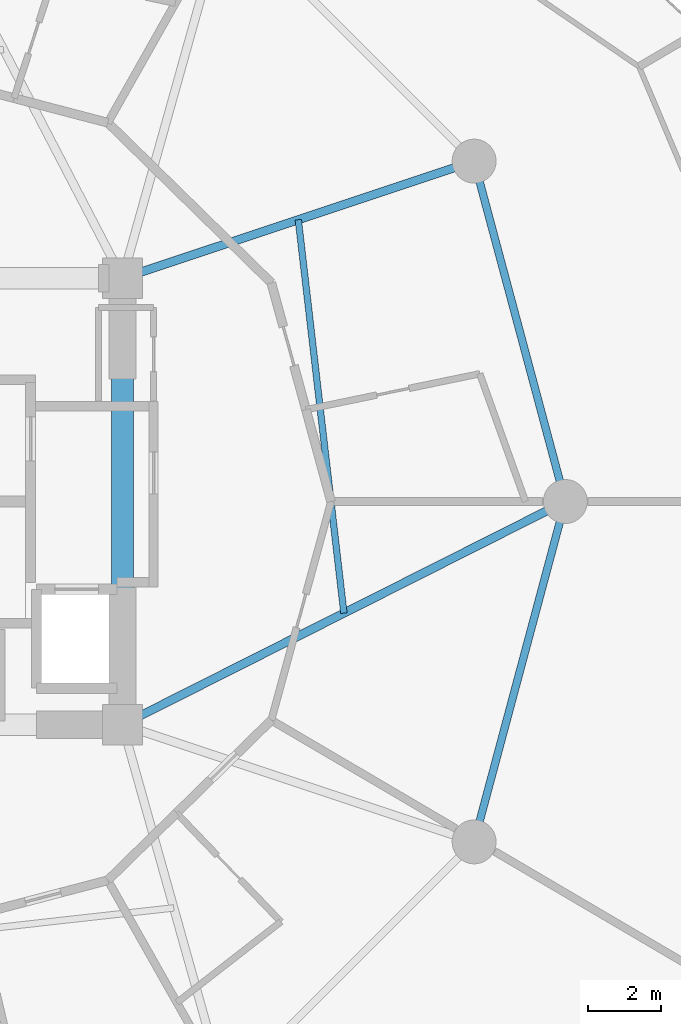
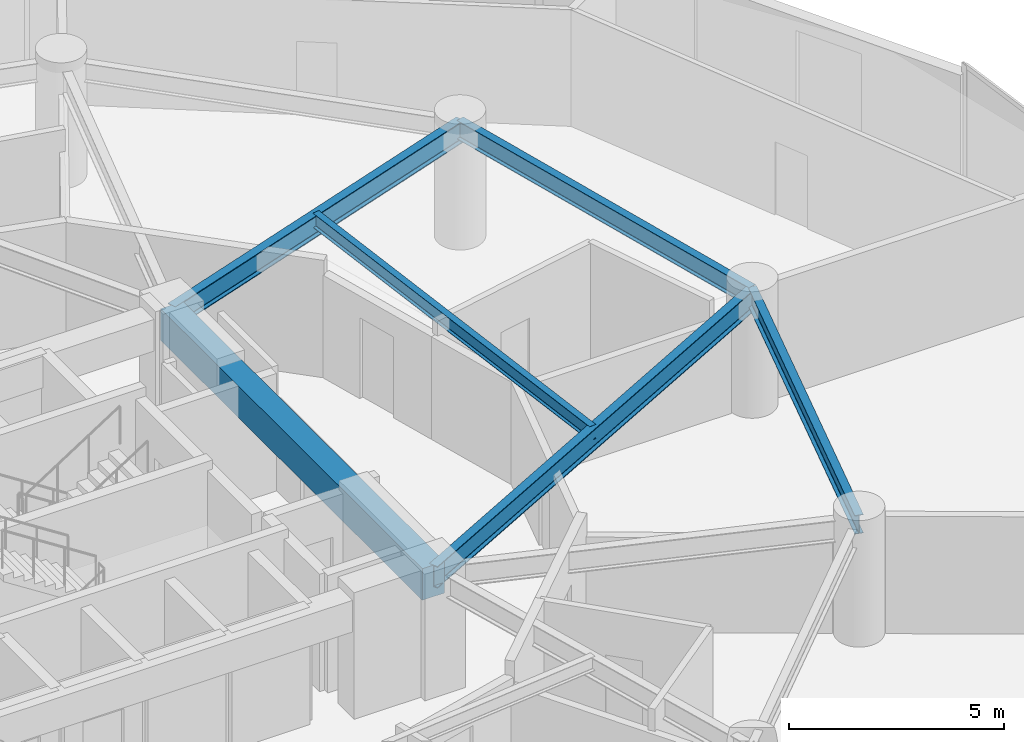
# One storey, part 11 of 26: 6 beams.
"""IFC4 building model written with IfcOpenShell, lengths in metres."""

from ifc_helpers import new_model, si_unit, direction, frame, origin, origin_2d, place, context, subcontext, project, spatial, rectangle, i_section, extrude, material, material_profile, profile_set, type_object, element, save


model = new_model("IFC4")

# Units and contexts
model_context = context("Model", 3, precision=1e-05, world=origin(), true_north=direction((0.0, 1.0)))
body_context = subcontext(model_context, "Body", "Model", "MODEL_VIEW")
ifc_project = project(units=[si_unit("LENGTHUNIT", "METRE"), si_unit("AREAUNIT", "SQUARE_METRE"), si_unit("VOLUMEUNIT", "CUBIC_METRE"), si_unit("PLANEANGLEUNIT", "RADIAN"), si_unit("MASSUNIT", "GRAM", prefix="KILO")], contexts=[model_context])

# Site, building, storey
site_placement = place(None, origin())
site = spatial("IfcSite", under=ifc_project, at=site_placement, CompositionType="ELEMENT")
building_placement = place(site_placement, origin())
building = spatial("IfcBuilding", under=site, at=building_placement, Name="Solvirekh Grand Hotel", CompositionType="ELEMENT")
storey_placement = place(building_placement, frame((0.0, 0.0, 32.0)))
storey = spatial("IfcBuildingStorey", under=building, at=storey_placement, Name="L06", CompositionType="ELEMENT", Elevation=32.0)

# Beams
ifc_material_1 = material(Name="Concrete C50/60", Category="concrete")
ifc_material_profile_1 = material_profile(ifc_material_1, rectangle(XDim=0.60009765625, YDim=0.89990234375, at=origin_2d()), Name="RC BEAM 600X900")
ifc_profile_set_1 = profile_set([ifc_material_profile_1], Name="Concrete C50/60")
beam_type_1 = type_object("IfcBeamType", Name="Beam_Core_RC900", PredefinedType="BEAM", material=ifc_profile_set_1)
beam_1_placement = place(storey_placement, frame((6.5, -6.10009765625, 2.889892578125), z_axis=(0.0, 1.0, 0.0), x_axis=(-1.0, 0.0, 0.0)))
element("IfcBeam", 1, at=beam_1_placement, inside=storey, type_object=beam_type_1, Name="L06 core coupling ring beam 2", PredefinedType="BEAM", context=body_context, shape_type="SweptSolid", body=[
    extrude(rectangle(XDim=0.60009765625, YDim=0.89990234375, at=origin_2d()), origin(), (0.0, 0.0, 1.0), 12.2001953125),
])
ifc_material_2 = material(Name="Steel S355", Category="steel")
ifc_material_profile_2 = material_profile(ifc_material_2, i_section(OverallWidth=0.22998046875, OverallDepth=0.615966796875, WebThickness=0.013916015625, FlangeThickness=0.02392578125, FilletRadius=0.014892578125, at=origin_2d()), Name="W610X174")
ifc_profile_set_2 = profile_set([ifc_material_profile_2], Name="Steel S355")
beam_type_2 = type_object("IfcBeamType", Name="Beam_Primary_W610H", PredefinedType="BEAM", material=ifc_profile_set_2)
beam_2_placement = place(storey_placement, frame((6.5, -6.10009765625, 3.031982421875), z_axis=(0.892944939011, 0.450165898191, 0.0), x_axis=(-0.450165898191, 0.892944939011, 0.0)))
element("IfcBeam", 2, at=beam_2_placement, inside=storey, type_object=beam_type_2, Name="L06 radial floor beam R01", PredefinedType="BEAM", context=body_context, shape_type="SweptSolid", body=[
    extrude(i_section(OverallWidth=0.22998046875, OverallDepth=0.615966796875, WebThickness=0.013916015625, FlangeThickness=0.02392578125, FilletRadius=0.014892578125, at=origin_2d()), origin(), (0.0, 0.0, 1.0), 13.55078125),
])
beam_3_placement = place(storey_placement, frame((6.5, 6.10009765625, 3.031982421875), z_axis=(0.948762825819, 0.315989082635, 0.0), x_axis=(-0.315989082635, 0.948762825819, 0.0)))
element("IfcBeam", 3, at=beam_3_placement, inside=storey, type_object=beam_type_2, Name="L06 radial floor beam R02", PredefinedType="BEAM", context=body_context, shape_type="SweptSolid", body=[
    extrude(i_section(OverallWidth=0.22998046875, OverallDepth=0.615966796875, WebThickness=0.013916015625, FlangeThickness=0.02392578125, FilletRadius=0.014892578125, at=origin_2d()), origin(), (0.0, 0.0, 1.0), 10.126708984375),
])
ifc_material_profile_3 = material_profile(ifc_material_2, i_section(OverallWidth=0.177978515625, OverallDepth=0.406982421875, WebThickness=0.008056640625, FlangeThickness=0.011962890625, FilletRadius=0.011962890625, at=origin_2d()), Name="W410X60")
ifc_profile_set_3 = profile_set([ifc_material_profile_3], Name="Steel S355")
beam_type_3 = type_object("IfcBeamType", Name="Joist_Floor_W410", PredefinedType="JOIST", material=ifc_profile_set_3)
beam_4_placement = place(storey_placement, frame((12.550048828125, -3.050048828125, 3.136962890625), z_axis=(-0.115144710849, 0.993348728073, 0.0), x_axis=(-0.993348728073, -0.115144710849, 0.0)))
element("IfcBeam", 4, at=beam_4_placement, inside=storey, type_object=beam_type_3, Name="L06 secondary composite floor joist 1", PredefinedType="JOIST", context=body_context, shape_type="SweptSolid", body=[
    extrude(i_section(OverallWidth=0.177978515625, OverallDepth=0.406982421875, WebThickness=0.008056640625, FlangeThickness=0.011962890625, FilletRadius=0.011962890625, at=origin_2d()), origin(), (0.0, 0.0, 1.0), 10.822021484375),
])
ifc_material_profile_4 = material_profile(ifc_material_2, i_section(OverallWidth=0.208984375, OverallDepth=0.532958984375, WebThickness=0.010009765625, FlangeThickness=0.014892578125, FilletRadius=0.013916015625, at=origin_2d()), Name="W530X92")
ifc_profile_set_4 = profile_set([ifc_material_profile_4], Name="Steel S355")
beam_type_4 = type_object("IfcBeamType", Name="Spandrel_Ring_W530", PredefinedType="SPANDREL", material=ifc_profile_set_4)
for number, where, z_axis, x_axis, name in (
    (5, (18.60009765625, 0.0, 3.073974609375), (-0.258842973314, 0.965919414426, 0.0), (-0.965919414426, -0.258842973314, 0.0), "L06 perimeter spandrel beam 1"),
    (6, (16.10791015625, -9.300048828125, 3.073974609375), (0.258842973314, 0.965919414426, 0.0), (-0.965919414426, 0.258842973314, 0.0), "L06 perimeter spandrel beam 12"),
):
    element("IfcBeam", number, at=place(storey_placement, frame(where, z_axis=z_axis, x_axis=x_axis)), inside=storey, type_object=beam_type_4, Name=name, PredefinedType="SPANDREL", context=body_context, shape_type="SweptSolid", body=[
        extrude(i_section(OverallWidth=0.208984375, OverallDepth=0.532958984375, WebThickness=0.010009765625, FlangeThickness=0.014892578125, FilletRadius=0.013916015625, at=origin_2d()), origin(), (0.0, 0.0, 1.0), 9.628173828125),
    ])

save(model, "model.ifc")
